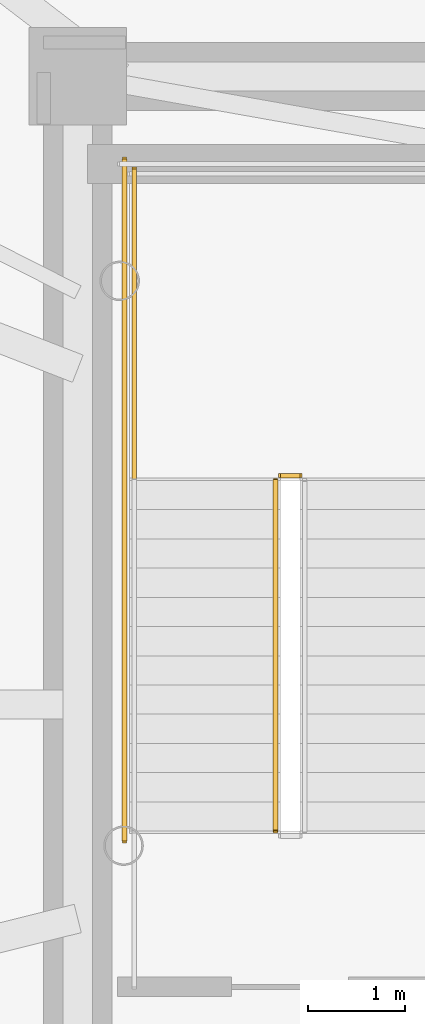
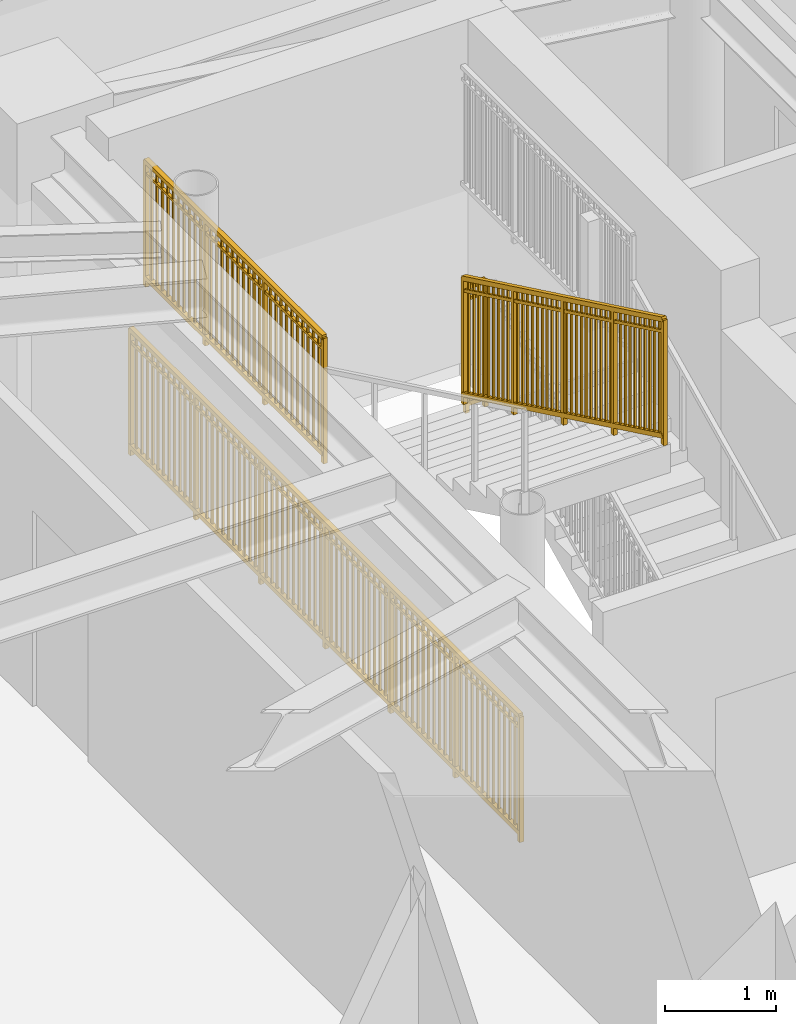
# One storey, part 16 of 20: 4 railings.
"""IFC4 building model written with IfcOpenShell, lengths in metres."""

from ifc_helpers import new_model, si_unit, direction, frame, origin, origin_2d, place, context, subcontext, project, spatial, rectangle, extrude, source, transform, mapped, material, type_object, element, save


model = new_model("IFC4")

# Units and contexts
model_context = context("Model", 3, precision=1e-05, world=origin(), true_north=direction((0.0, 1.0)))
body_context = subcontext(model_context, "Body", "Model", "MODEL_VIEW")
ifc_project = project(units=[si_unit("LENGTHUNIT", "METRE"), si_unit("AREAUNIT", "SQUARE_METRE"), si_unit("VOLUMEUNIT", "CUBIC_METRE"), si_unit("PLANEANGLEUNIT", "RADIAN"), si_unit("MASSUNIT", "GRAM", prefix="KILO")], contexts=[model_context])

# Site, building, storey
site_placement = place(None, origin())
site = spatial("IfcSite", under=ifc_project, at=site_placement, CompositionType="ELEMENT")
building_placement = place(site_placement, origin())
building = spatial("IfcBuilding", under=site, at=building_placement, Name="Linh Dai School and Residence Tower", CompositionType="ELEMENT")
storey_placement = place(building_placement, frame((0.0, 0.0, 288.0)))
storey = spatial("IfcBuildingStorey", under=building, at=storey_placement, Name="L71", CompositionType="ELEMENT", Elevation=288.0)

# Railings
ifc_material = material(Name="Structural Steel S355JR", Category="steel")
railing_type = type_object("IfcRailingType", Name="RL-ST-GUARD-1400", PredefinedType="GUARDRAIL", material=ifc_material)
shared_shape_1 = source(origin(), body_context, "Body", "SweptSolid", [
    extrude(rectangle(XDim=0.048095703125, YDim=0.048095703125, at=origin_2d()), frame((0.0, 0.0, 1.3759765625), z_axis=(-1.0, 0.0, 0.0), x_axis=(0.0, -1.0, 0.0)), (0.0, 0.0, 1.0), 0.199951171875),
    extrude(rectangle(XDim=0.048095703125, YDim=0.048095703125, at=origin_2d()), frame((0.0, 0.0, 0.10009765625), z_axis=(-1.0, 0.0, 0.0), x_axis=(0.0, -1.0, 0.0)), (0.0, 0.0, 1.0), 0.199951171875),
    extrude(rectangle(XDim=0.030029296875, YDim=0.030029296875, at=origin_2d()), frame((0.0, 0.0, 1.239990234375), z_axis=(-1.0, 0.0, 0.0), x_axis=(0.0, -1.0, 0.0)), (0.0, 0.0, 1.0), 0.199951171875),
    extrude(rectangle(XDim=0.0419921875, YDim=0.0419921875, at=origin_2d()), origin(), (0.0, 0.0, 1.0), 1.3759765625),
    extrude(rectangle(XDim=0.0419921875, YDim=0.0419921875, at=origin_2d()), frame((-0.199951171875, 0.0, 0.0)), (0.0, 0.0, 1.0), 1.3759765625),
])
railing_1_placement = place(storey_placement, frame((29.429931640625, 29.35009765625, 1.875)))
element("IfcRailing", 1, at=railing_1_placement, inside=storey, type_object=railing_type, Name="L71 ST1 stair guard 2", PredefinedType="GUARDRAIL", context=body_context, shape_type="MappedRepresentation", body=[
    mapped(shared_shape_1, transform((0.0, 0.0, 0.0), x_axis=(1.0, 0.0, 0.0), y_axis=(0.0, 1.0, 0.0), z_axis=(0.0, 0.0, 1.0), scale=1.0)),
])
shared_shape_2 = source(origin(), body_context, "Body", "SweptSolid", [
    extrude(rectangle(XDim=0.048095703125, YDim=0.048095703125, at=origin_2d()), frame((0.0, 0.0, 1.3759765625), z_axis=(0.0, 1.0, 0.0), x_axis=(-1.0, 0.0, 0.0)), (0.0, 0.0, 1.0), 7.0),
    extrude(rectangle(XDim=0.048095703125, YDim=0.048095703125, at=origin_2d()), frame((0.0, 0.0, 0.10009765625), z_axis=(0.0, 1.0, 0.0), x_axis=(-1.0, 0.0, 0.0)), (0.0, 0.0, 1.0), 7.0),
    extrude(rectangle(XDim=0.030029296875, YDim=0.030029296875, at=origin_2d()), frame((0.0, 0.0, 1.239990234375), z_axis=(0.0, 1.0, 0.0), x_axis=(-1.0, 0.0, 0.0)), (0.0, 0.0, 1.0), 7.0),
    extrude(rectangle(XDim=0.02001953125, YDim=0.02001953125, at=origin_2d()), frame((0.0, 0.09716796875, 0.10009765625)), (0.0, 0.0, 1.0), 1.251708984375),
    extrude(rectangle(XDim=0.02001953125, YDim=0.02001953125, at=origin_2d()), frame((0.0, 0.1943359375, 0.10009765625)), (0.0, 0.0, 1.0), 1.251708984375),
    extrude(rectangle(XDim=0.02001953125, YDim=0.02001953125, at=origin_2d()), frame((0.0, 0.291748046875, 0.10009765625)), (0.0, 0.0, 1.0), 1.251708984375),
    extrude(rectangle(XDim=0.02001953125, YDim=0.02001953125, at=origin_2d()), frame((0.0, 0.388916015625, 0.10009765625)), (0.0, 0.0, 1.0), 1.251708984375),
    extrude(rectangle(XDim=0.02001953125, YDim=0.02001953125, at=origin_2d()), frame((0.0, 0.486083984375, 0.10009765625)), (0.0, 0.0, 1.0), 1.251708984375),
    extrude(rectangle(XDim=0.02001953125, YDim=0.02001953125, at=origin_2d()), frame((0.0, 0.583251953125, 0.10009765625)), (0.0, 0.0, 1.0), 1.251708984375),
    extrude(rectangle(XDim=0.02001953125, YDim=0.02001953125, at=origin_2d()), frame((0.0, 0.6806640625, 0.10009765625)), (0.0, 0.0, 1.0), 1.251708984375),
    extrude(rectangle(XDim=0.02001953125, YDim=0.02001953125, at=origin_2d()), frame((0.0, 0.77783203125, 0.10009765625)), (0.0, 0.0, 1.0), 1.251708984375),
    extrude(rectangle(XDim=0.02001953125, YDim=0.02001953125, at=origin_2d()), frame((0.0, 0.875, 0.10009765625)), (0.0, 0.0, 1.0), 1.251708984375),
    extrude(rectangle(XDim=0.02001953125, YDim=0.02001953125, at=origin_2d()), frame((0.0, 0.97216796875, 0.10009765625)), (0.0, 0.0, 1.0), 1.251708984375),
    extrude(rectangle(XDim=0.02001953125, YDim=0.02001953125, at=origin_2d()), frame((0.0, 1.0693359375, 0.10009765625)), (0.0, 0.0, 1.0), 1.251708984375),
    extrude(rectangle(XDim=0.02001953125, YDim=0.02001953125, at=origin_2d()), frame((0.0, 1.263916015625, 0.10009765625)), (0.0, 0.0, 1.0), 1.251708984375),
    extrude(rectangle(XDim=0.02001953125, YDim=0.02001953125, at=origin_2d()), frame((0.0, 1.361083984375, 0.10009765625)), (0.0, 0.0, 1.0), 1.251708984375),
    extrude(rectangle(XDim=0.02001953125, YDim=0.02001953125, at=origin_2d()), frame((0.0, 1.458251953125, 0.10009765625)), (0.0, 0.0, 1.0), 1.251708984375),
    extrude(rectangle(XDim=0.02001953125, YDim=0.02001953125, at=origin_2d()), frame((0.0, 1.5556640625, 0.10009765625)), (0.0, 0.0, 1.0), 1.251708984375),
    extrude(rectangle(XDim=0.02001953125, YDim=0.02001953125, at=origin_2d()), frame((0.0, 1.65283203125, 0.10009765625)), (0.0, 0.0, 1.0), 1.251708984375),
    extrude(rectangle(XDim=0.02001953125, YDim=0.02001953125, at=origin_2d()), frame((0.0, 1.75, 0.10009765625)), (0.0, 0.0, 1.0), 1.251708984375),
    extrude(rectangle(XDim=0.02001953125, YDim=0.02001953125, at=origin_2d()), frame((0.0, 1.84716796875, 0.10009765625)), (0.0, 0.0, 1.0), 1.251708984375),
    extrude(rectangle(XDim=0.02001953125, YDim=0.02001953125, at=origin_2d()), frame((0.0, 1.9443359375, 0.10009765625)), (0.0, 0.0, 1.0), 1.251708984375),
    extrude(rectangle(XDim=0.02001953125, YDim=0.02001953125, at=origin_2d()), frame((0.0, 2.041748046875, 0.10009765625)), (0.0, 0.0, 1.0), 1.251708984375),
    extrude(rectangle(XDim=0.02001953125, YDim=0.02001953125, at=origin_2d()), frame((0.0, 2.138916015625, 0.10009765625)), (0.0, 0.0, 1.0), 1.251708984375),
    extrude(rectangle(XDim=0.02001953125, YDim=0.02001953125, at=origin_2d()), frame((0.0, 2.236083984375, 0.10009765625)), (0.0, 0.0, 1.0), 1.251708984375),
    extrude(rectangle(XDim=0.02001953125, YDim=0.02001953125, at=origin_2d()), frame((0.0, 2.4306640625, 0.10009765625)), (0.0, 0.0, 1.0), 1.251708984375),
    extrude(rectangle(XDim=0.02001953125, YDim=0.02001953125, at=origin_2d()), frame((0.0, 2.52783203125, 0.10009765625)), (0.0, 0.0, 1.0), 1.251708984375),
    extrude(rectangle(XDim=0.02001953125, YDim=0.02001953125, at=origin_2d()), frame((0.0, 2.625, 0.10009765625)), (0.0, 0.0, 1.0), 1.251708984375),
    extrude(rectangle(XDim=0.02001953125, YDim=0.02001953125, at=origin_2d()), frame((0.0, 2.72216796875, 0.10009765625)), (0.0, 0.0, 1.0), 1.251708984375),
    extrude(rectangle(XDim=0.02001953125, YDim=0.02001953125, at=origin_2d()), frame((0.0, 2.8193359375, 0.10009765625)), (0.0, 0.0, 1.0), 1.251708984375),
    extrude(rectangle(XDim=0.02001953125, YDim=0.02001953125, at=origin_2d()), frame((0.0, 2.916748046875, 0.10009765625)), (0.0, 0.0, 1.0), 1.251708984375),
    extrude(rectangle(XDim=0.02001953125, YDim=0.02001953125, at=origin_2d()), frame((0.0, 3.013916015625, 0.10009765625)), (0.0, 0.0, 1.0), 1.251708984375),
    extrude(rectangle(XDim=0.02001953125, YDim=0.02001953125, at=origin_2d()), frame((0.0, 3.111083984375, 0.10009765625)), (0.0, 0.0, 1.0), 1.251708984375),
    extrude(rectangle(XDim=0.02001953125, YDim=0.02001953125, at=origin_2d()), frame((0.0, 3.208251953125, 0.10009765625)), (0.0, 0.0, 1.0), 1.251708984375),
    extrude(rectangle(XDim=0.02001953125, YDim=0.02001953125, at=origin_2d()), frame((0.0, 3.3056640625, 0.10009765625)), (0.0, 0.0, 1.0), 1.251708984375),
    extrude(rectangle(XDim=0.02001953125, YDim=0.02001953125, at=origin_2d()), frame((0.0, 3.40283203125, 0.10009765625)), (0.0, 0.0, 1.0), 1.251708984375),
    extrude(rectangle(XDim=0.02001953125, YDim=0.02001953125, at=origin_2d()), frame((0.0, 3.59716796875, 0.10009765625)), (0.0, 0.0, 1.0), 1.251708984375),
    extrude(rectangle(XDim=0.02001953125, YDim=0.02001953125, at=origin_2d()), frame((0.0, 3.6943359375, 0.10009765625)), (0.0, 0.0, 1.0), 1.251708984375),
    extrude(rectangle(XDim=0.02001953125, YDim=0.02001953125, at=origin_2d()), frame((0.0, 3.791748046875, 0.10009765625)), (0.0, 0.0, 1.0), 1.251708984375),
    extrude(rectangle(XDim=0.02001953125, YDim=0.02001953125, at=origin_2d()), frame((0.0, 3.888916015625, 0.10009765625)), (0.0, 0.0, 1.0), 1.251708984375),
    extrude(rectangle(XDim=0.02001953125, YDim=0.02001953125, at=origin_2d()), frame((0.0, 3.986083984375, 0.10009765625)), (0.0, 0.0, 1.0), 1.251708984375),
    extrude(rectangle(XDim=0.02001953125, YDim=0.02001953125, at=origin_2d()), frame((0.0, 4.083251953125, 0.10009765625)), (0.0, 0.0, 1.0), 1.251708984375),
    extrude(rectangle(XDim=0.02001953125, YDim=0.02001953125, at=origin_2d()), frame((0.0, 4.1806640625, 0.10009765625)), (0.0, 0.0, 1.0), 1.251708984375),
    extrude(rectangle(XDim=0.02001953125, YDim=0.02001953125, at=origin_2d()), frame((0.0, 4.27783203125, 0.10009765625)), (0.0, 0.0, 1.0), 1.251708984375),
    extrude(rectangle(XDim=0.02001953125, YDim=0.02001953125, at=origin_2d()), frame((0.0, 4.375, 0.10009765625)), (0.0, 0.0, 1.0), 1.251708984375),
    extrude(rectangle(XDim=0.02001953125, YDim=0.02001953125, at=origin_2d()), frame((0.0, 4.47216796875, 0.10009765625)), (0.0, 0.0, 1.0), 1.251708984375),
    extrude(rectangle(XDim=0.02001953125, YDim=0.02001953125, at=origin_2d()), frame((0.0, 4.5693359375, 0.10009765625)), (0.0, 0.0, 1.0), 1.251708984375),
    extrude(rectangle(XDim=0.02001953125, YDim=0.02001953125, at=origin_2d()), frame((0.0, 4.763916015625, 0.10009765625)), (0.0, 0.0, 1.0), 1.251708984375),
    extrude(rectangle(XDim=0.02001953125, YDim=0.02001953125, at=origin_2d()), frame((0.0, 4.861083984375, 0.10009765625)), (0.0, 0.0, 1.0), 1.251708984375),
    extrude(rectangle(XDim=0.02001953125, YDim=0.02001953125, at=origin_2d()), frame((0.0, 4.958251953125, 0.10009765625)), (0.0, 0.0, 1.0), 1.251708984375),
    extrude(rectangle(XDim=0.02001953125, YDim=0.02001953125, at=origin_2d()), frame((0.0, 5.0556640625, 0.10009765625)), (0.0, 0.0, 1.0), 1.251708984375),
    extrude(rectangle(XDim=0.02001953125, YDim=0.02001953125, at=origin_2d()), frame((0.0, 5.15283203125, 0.10009765625)), (0.0, 0.0, 1.0), 1.251708984375),
    extrude(rectangle(XDim=0.02001953125, YDim=0.02001953125, at=origin_2d()), frame((0.0, 5.25, 0.10009765625)), (0.0, 0.0, 1.0), 1.251708984375),
    extrude(rectangle(XDim=0.02001953125, YDim=0.02001953125, at=origin_2d()), frame((0.0, 5.34716796875, 0.10009765625)), (0.0, 0.0, 1.0), 1.251708984375),
    extrude(rectangle(XDim=0.02001953125, YDim=0.02001953125, at=origin_2d()), frame((0.0, 5.4443359375, 0.10009765625)), (0.0, 0.0, 1.0), 1.251708984375),
    extrude(rectangle(XDim=0.02001953125, YDim=0.02001953125, at=origin_2d()), frame((0.0, 5.541748046875, 0.10009765625)), (0.0, 0.0, 1.0), 1.251708984375),
    extrude(rectangle(XDim=0.02001953125, YDim=0.02001953125, at=origin_2d()), frame((0.0, 5.638916015625, 0.10009765625)), (0.0, 0.0, 1.0), 1.251708984375),
    extrude(rectangle(XDim=0.02001953125, YDim=0.02001953125, at=origin_2d()), frame((0.0, 5.736083984375, 0.10009765625)), (0.0, 0.0, 1.0), 1.251708984375),
    extrude(rectangle(XDim=0.02001953125, YDim=0.02001953125, at=origin_2d()), frame((0.0, 5.9306640625, 0.10009765625)), (0.0, 0.0, 1.0), 1.251708984375),
    extrude(rectangle(XDim=0.02001953125, YDim=0.02001953125, at=origin_2d()), frame((0.0, 6.02783203125, 0.10009765625)), (0.0, 0.0, 1.0), 1.251708984375),
    extrude(rectangle(XDim=0.02001953125, YDim=0.02001953125, at=origin_2d()), frame((0.0, 6.125, 0.10009765625)), (0.0, 0.0, 1.0), 1.251708984375),
    extrude(rectangle(XDim=0.02001953125, YDim=0.02001953125, at=origin_2d()), frame((0.0, 6.22216796875, 0.10009765625)), (0.0, 0.0, 1.0), 1.251708984375),
    extrude(rectangle(XDim=0.02001953125, YDim=0.02001953125, at=origin_2d()), frame((0.0, 6.3193359375, 0.10009765625)), (0.0, 0.0, 1.0), 1.251708984375),
    extrude(rectangle(XDim=0.02001953125, YDim=0.02001953125, at=origin_2d()), frame((0.0, 6.416748046875, 0.10009765625)), (0.0, 0.0, 1.0), 1.251708984375),
    extrude(rectangle(XDim=0.02001953125, YDim=0.02001953125, at=origin_2d()), frame((0.0, 6.513916015625, 0.10009765625)), (0.0, 0.0, 1.0), 1.251708984375),
    extrude(rectangle(XDim=0.02001953125, YDim=0.02001953125, at=origin_2d()), frame((0.0, 6.611083984375, 0.10009765625)), (0.0, 0.0, 1.0), 1.251708984375),
    extrude(rectangle(XDim=0.02001953125, YDim=0.02001953125, at=origin_2d()), frame((0.0, 6.708251953125, 0.10009765625)), (0.0, 0.0, 1.0), 1.251708984375),
    extrude(rectangle(XDim=0.02001953125, YDim=0.02001953125, at=origin_2d()), frame((0.0, 6.8056640625, 0.10009765625)), (0.0, 0.0, 1.0), 1.251708984375),
    extrude(rectangle(XDim=0.02001953125, YDim=0.02001953125, at=origin_2d()), frame((0.0, 6.90283203125, 0.10009765625)), (0.0, 0.0, 1.0), 1.251708984375),
    extrude(rectangle(XDim=0.0419921875, YDim=0.0419921875, at=origin_2d()), origin(), (0.0, 0.0, 1.0), 1.3759765625),
    extrude(rectangle(XDim=0.0419921875, YDim=0.0419921875, at=origin_2d()), frame((0.0, 1.166748046875, 0.0)), (0.0, 0.0, 1.0), 1.3759765625),
    extrude(rectangle(XDim=0.0419921875, YDim=0.0419921875, at=origin_2d()), frame((0.0, 2.333251953125, 0.0)), (0.0, 0.0, 1.0), 1.3759765625),
    extrude(rectangle(XDim=0.0419921875, YDim=0.0419921875, at=origin_2d()), frame((0.0, 3.5, 0.0)), (0.0, 0.0, 1.0), 1.3759765625),
    extrude(rectangle(XDim=0.0419921875, YDim=0.0419921875, at=origin_2d()), frame((0.0, 4.666748046875, 0.0)), (0.0, 0.0, 1.0), 1.3759765625),
    extrude(rectangle(XDim=0.0419921875, YDim=0.0419921875, at=origin_2d()), frame((0.0, 5.833251953125, 0.0)), (0.0, 0.0, 1.0), 1.3759765625),
    extrude(rectangle(XDim=0.0419921875, YDim=0.0419921875, at=origin_2d()), frame((0.0, 7.0, 0.0)), (0.0, 0.0, 1.0), 1.3759765625),
])
railing_2_placement = place(storey_placement, frame((27.6298828125, 25.60009765625, 0.0)))
element("IfcRailing", 2, at=railing_2_placement, inside=storey, type_object=railing_type, Name="L71 ST1 stair guard 11", PredefinedType="GUARDRAIL", context=body_context, shape_type="MappedRepresentation", body=[
    mapped(shared_shape_2, transform((0.0, 0.0, 0.0), x_axis=(1.0, 0.0, 0.0), y_axis=(0.0, 1.0, 0.0), z_axis=(0.0, 0.0, 1.0), scale=1.0)),
])
shared_shape_3 = source(origin(), body_context, "Body", "SweptSolid", [
    extrude(rectangle(XDim=0.048095703125, YDim=0.048095703125, at=origin_2d()), frame((0.0, 0.0, 1.3759765625), z_axis=(0.0, 1.0, 0.0), x_axis=(-1.0, 0.0, 0.0)), (0.0, 0.0, 1.0), 3.199951171875),
    extrude(rectangle(XDim=0.048095703125, YDim=0.048095703125, at=origin_2d()), frame((0.0, 0.0, 0.10009765625), z_axis=(0.0, 1.0, 0.0), x_axis=(-1.0, 0.0, 0.0)), (0.0, 0.0, 1.0), 3.199951171875),
    extrude(rectangle(XDim=0.030029296875, YDim=0.030029296875, at=origin_2d()), frame((0.0, 0.0, 1.239990234375), z_axis=(0.0, 1.0, 0.0), x_axis=(-1.0, 0.0, 0.0)), (0.0, 0.0, 1.0), 3.199951171875),
    extrude(rectangle(XDim=0.02001953125, YDim=0.02001953125, at=origin_2d()), frame((0.0, 0.096923828125, 0.10009765625)), (0.0, 0.0, 1.0), 1.251708984375),
    extrude(rectangle(XDim=0.02001953125, YDim=0.02001953125, at=origin_2d()), frame((0.0, 0.19384765625, 0.10009765625)), (0.0, 0.0, 1.0), 1.251708984375),
    extrude(rectangle(XDim=0.02001953125, YDim=0.02001953125, at=origin_2d()), frame((0.0, 0.291015625, 0.10009765625)), (0.0, 0.0, 1.0), 1.251708984375),
    extrude(rectangle(XDim=0.02001953125, YDim=0.02001953125, at=origin_2d()), frame((0.0, 0.387939453125, 0.10009765625)), (0.0, 0.0, 1.0), 1.251708984375),
    extrude(rectangle(XDim=0.02001953125, YDim=0.02001953125, at=origin_2d()), frame((0.0, 0.48486328125, 0.10009765625)), (0.0, 0.0, 1.0), 1.251708984375),
    extrude(rectangle(XDim=0.02001953125, YDim=0.02001953125, at=origin_2d()), frame((0.0, 0.581787109375, 0.10009765625)), (0.0, 0.0, 1.0), 1.251708984375),
    extrude(rectangle(XDim=0.02001953125, YDim=0.02001953125, at=origin_2d()), frame((0.0, 0.6787109375, 0.10009765625)), (0.0, 0.0, 1.0), 1.251708984375),
    extrude(rectangle(XDim=0.02001953125, YDim=0.02001953125, at=origin_2d()), frame((0.0, 0.775634765625, 0.10009765625)), (0.0, 0.0, 1.0), 1.251708984375),
    extrude(rectangle(XDim=0.02001953125, YDim=0.02001953125, at=origin_2d()), frame((0.0, 0.872802734375, 0.10009765625)), (0.0, 0.0, 1.0), 1.251708984375),
    extrude(rectangle(XDim=0.02001953125, YDim=0.02001953125, at=origin_2d()), frame((0.0, 0.9697265625, 0.10009765625)), (0.0, 0.0, 1.0), 1.251708984375),
    extrude(rectangle(XDim=0.02001953125, YDim=0.02001953125, at=origin_2d()), frame((0.0, 1.16357421875, 0.10009765625)), (0.0, 0.0, 1.0), 1.251708984375),
    extrude(rectangle(XDim=0.02001953125, YDim=0.02001953125, at=origin_2d()), frame((0.0, 1.260498046875, 0.10009765625)), (0.0, 0.0, 1.0), 1.251708984375),
    extrude(rectangle(XDim=0.02001953125, YDim=0.02001953125, at=origin_2d()), frame((0.0, 1.357666015625, 0.10009765625)), (0.0, 0.0, 1.0), 1.251708984375),
    extrude(rectangle(XDim=0.02001953125, YDim=0.02001953125, at=origin_2d()), frame((0.0, 1.45458984375, 0.10009765625)), (0.0, 0.0, 1.0), 1.251708984375),
    extrude(rectangle(XDim=0.02001953125, YDim=0.02001953125, at=origin_2d()), frame((0.0, 1.551513671875, 0.10009765625)), (0.0, 0.0, 1.0), 1.251708984375),
    extrude(rectangle(XDim=0.02001953125, YDim=0.02001953125, at=origin_2d()), frame((0.0, 1.6484375, 0.10009765625)), (0.0, 0.0, 1.0), 1.251708984375),
    extrude(rectangle(XDim=0.02001953125, YDim=0.02001953125, at=origin_2d()), frame((0.0, 1.745361328125, 0.10009765625)), (0.0, 0.0, 1.0), 1.251708984375),
    extrude(rectangle(XDim=0.02001953125, YDim=0.02001953125, at=origin_2d()), frame((0.0, 1.84228515625, 0.10009765625)), (0.0, 0.0, 1.0), 1.251708984375),
    extrude(rectangle(XDim=0.02001953125, YDim=0.02001953125, at=origin_2d()), frame((0.0, 1.939453125, 0.10009765625)), (0.0, 0.0, 1.0), 1.251708984375),
    extrude(rectangle(XDim=0.02001953125, YDim=0.02001953125, at=origin_2d()), frame((0.0, 2.036376953125, 0.10009765625)), (0.0, 0.0, 1.0), 1.251708984375),
    extrude(rectangle(XDim=0.02001953125, YDim=0.02001953125, at=origin_2d()), frame((0.0, 2.230224609375, 0.10009765625)), (0.0, 0.0, 1.0), 1.251708984375),
    extrude(rectangle(XDim=0.02001953125, YDim=0.02001953125, at=origin_2d()), frame((0.0, 2.3271484375, 0.10009765625)), (0.0, 0.0, 1.0), 1.251708984375),
    extrude(rectangle(XDim=0.02001953125, YDim=0.02001953125, at=origin_2d()), frame((0.0, 2.42431640625, 0.10009765625)), (0.0, 0.0, 1.0), 1.251708984375),
    extrude(rectangle(XDim=0.02001953125, YDim=0.02001953125, at=origin_2d()), frame((0.0, 2.521240234375, 0.10009765625)), (0.0, 0.0, 1.0), 1.251708984375),
    extrude(rectangle(XDim=0.02001953125, YDim=0.02001953125, at=origin_2d()), frame((0.0, 2.6181640625, 0.10009765625)), (0.0, 0.0, 1.0), 1.251708984375),
    extrude(rectangle(XDim=0.02001953125, YDim=0.02001953125, at=origin_2d()), frame((0.0, 2.715087890625, 0.10009765625)), (0.0, 0.0, 1.0), 1.251708984375),
    extrude(rectangle(XDim=0.02001953125, YDim=0.02001953125, at=origin_2d()), frame((0.0, 2.81201171875, 0.10009765625)), (0.0, 0.0, 1.0), 1.251708984375),
    extrude(rectangle(XDim=0.02001953125, YDim=0.02001953125, at=origin_2d()), frame((0.0, 2.908935546875, 0.10009765625)), (0.0, 0.0, 1.0), 1.251708984375),
    extrude(rectangle(XDim=0.02001953125, YDim=0.02001953125, at=origin_2d()), frame((0.0, 3.006103515625, 0.10009765625)), (0.0, 0.0, 1.0), 1.251708984375),
    extrude(rectangle(XDim=0.02001953125, YDim=0.02001953125, at=origin_2d()), frame((0.0, 3.10302734375, 0.10009765625)), (0.0, 0.0, 1.0), 1.251708984375),
    extrude(rectangle(XDim=0.0419921875, YDim=0.0419921875, at=origin_2d()), origin(), (0.0, 0.0, 1.0), 1.3759765625),
    extrude(rectangle(XDim=0.0419921875, YDim=0.0419921875, at=origin_2d()), frame((0.0, 1.066650390625, 0.0)), (0.0, 0.0, 1.0), 1.3759765625),
    extrude(rectangle(XDim=0.0419921875, YDim=0.0419921875, at=origin_2d()), frame((0.0, 2.13330078125, 0.0)), (0.0, 0.0, 1.0), 1.3759765625),
    extrude(rectangle(XDim=0.0419921875, YDim=0.0419921875, at=origin_2d()), frame((0.0, 3.199951171875, 0.0)), (0.0, 0.0, 1.0), 1.3759765625),
])
railing_3_placement = place(storey_placement, frame((27.72998046875, 29.300048828125, 1.875)))
element("IfcRailing", 3, at=railing_3_placement, inside=storey, type_object=railing_type, Name="L71 ST1 stair guard 4", PredefinedType="GUARDRAIL", context=body_context, shape_type="MappedRepresentation", body=[
    mapped(shared_shape_3, transform((0.0, 0.0, 0.0), x_axis=(1.0, 0.0, 0.0), y_axis=(0.0, 1.0, 0.0), z_axis=(0.0, 0.0, 1.0), scale=1.0)),
])
shared_shape_4 = source(origin(), body_context, "Body", "SweptSolid", [
    extrude(rectangle(XDim=0.048095703125, YDim=0.048095703125, at=origin_2d()), frame((0.0, 0.0, 1.3759765625), z_axis=(0.0, -0.901262522062, 0.433273431364), x_axis=(1.0, 0.0, 0.0)), (0.0, 0.0, 1.0), 3.994384765625),
    extrude(rectangle(XDim=0.048095703125, YDim=0.048095703125, at=origin_2d()), frame((0.0, 0.0, 0.10009765625), z_axis=(0.0, -0.901262522062, 0.433273431364), x_axis=(1.0, 0.0, 0.0)), (0.0, 0.0, 1.0), 3.994384765625),
    extrude(rectangle(XDim=0.030029296875, YDim=0.030029296875, at=origin_2d()), frame((0.0, 0.0, 1.239990234375), z_axis=(0.0, -0.901262522062, 0.433273431364), x_axis=(1.0, 0.0, 0.0)), (0.0, 0.0, 1.0), 3.994384765625),
    extrude(rectangle(XDim=0.02001953125, YDim=0.02001953125, at=origin_2d()), frame((0.0, -0.087890625, 0.142333984375)), (0.0, 0.0, 1.0), 1.251708984375),
    extrude(rectangle(XDim=0.02001953125, YDim=0.02001953125, at=origin_2d()), frame((0.0, -0.175537109375, 0.1845703125)), (0.0, 0.0, 1.0), 1.251708984375),
    extrude(rectangle(XDim=0.02001953125, YDim=0.02001953125, at=origin_2d()), frame((0.0, -0.263427734375, 0.226806640625)), (0.0, 0.0, 1.0), 1.251708984375),
    extrude(rectangle(XDim=0.02001953125, YDim=0.02001953125, at=origin_2d()), frame((0.0, -0.351318359375, 0.26904296875)), (0.0, 0.0, 1.0), 1.251708984375),
    extrude(rectangle(XDim=0.02001953125, YDim=0.02001953125, at=origin_2d()), frame((0.0, -0.43896484375, 0.311279296875)), (0.0, 0.0, 1.0), 1.251708984375),
    extrude(rectangle(XDim=0.02001953125, YDim=0.02001953125, at=origin_2d()), frame((0.0, -0.52685546875, 0.353271484375)), (0.0, 0.0, 1.0), 1.251708984375),
    extrude(rectangle(XDim=0.02001953125, YDim=0.02001953125, at=origin_2d()), frame((0.0, -0.61474609375, 0.3955078125)), (0.0, 0.0, 1.0), 1.251708984375),
    extrude(rectangle(XDim=0.02001953125, YDim=0.02001953125, at=origin_2d()), frame((0.0, -0.702392578125, 0.437744140625)), (0.0, 0.0, 1.0), 1.251708984375),
    extrude(rectangle(XDim=0.02001953125, YDim=0.02001953125, at=origin_2d()), frame((0.0, -0.790283203125, 0.47998046875)), (0.0, 0.0, 1.0), 1.251708984375),
    extrude(rectangle(XDim=0.02001953125, YDim=0.02001953125, at=origin_2d()), frame((0.0, -0.9658203125, 0.564453125)), (0.0, 0.0, 1.0), 1.251708984375),
    extrude(rectangle(XDim=0.02001953125, YDim=0.02001953125, at=origin_2d()), frame((0.0, -1.0537109375, 0.606689453125)), (0.0, 0.0, 1.0), 1.251708984375),
    extrude(rectangle(XDim=0.02001953125, YDim=0.02001953125, at=origin_2d()), frame((0.0, -1.1416015625, 0.64892578125)), (0.0, 0.0, 1.0), 1.251708984375),
    extrude(rectangle(XDim=0.02001953125, YDim=0.02001953125, at=origin_2d()), frame((0.0, -1.229248046875, 0.691162109375)), (0.0, 0.0, 1.0), 1.251708984375),
    extrude(rectangle(XDim=0.02001953125, YDim=0.02001953125, at=origin_2d()), frame((0.0, -1.317138671875, 0.7333984375)), (0.0, 0.0, 1.0), 1.251708984375),
    extrude(rectangle(XDim=0.02001953125, YDim=0.02001953125, at=origin_2d()), frame((0.0, -1.405029296875, 0.775390625)), (0.0, 0.0, 1.0), 1.251708984375),
    extrude(rectangle(XDim=0.02001953125, YDim=0.02001953125, at=origin_2d()), frame((0.0, -1.49267578125, 0.817626953125)), (0.0, 0.0, 1.0), 1.251708984375),
    extrude(rectangle(XDim=0.02001953125, YDim=0.02001953125, at=origin_2d()), frame((0.0, -1.58056640625, 0.85986328125)), (0.0, 0.0, 1.0), 1.251708984375),
    extrude(rectangle(XDim=0.02001953125, YDim=0.02001953125, at=origin_2d()), frame((0.0, -1.66845703125, 0.902099609375)), (0.0, 0.0, 1.0), 1.251708984375),
    extrude(rectangle(XDim=0.02001953125, YDim=0.02001953125, at=origin_2d()), frame((0.0, -1.756103515625, 0.9443359375)), (0.0, 0.0, 1.0), 1.251708984375),
    extrude(rectangle(XDim=0.02001953125, YDim=0.02001953125, at=origin_2d()), frame((0.0, -1.843994140625, 0.986572265625)), (0.0, 0.0, 1.0), 1.251708984375),
    extrude(rectangle(XDim=0.02001953125, YDim=0.02001953125, at=origin_2d()), frame((0.0, -1.931640625, 1.02880859375)), (0.0, 0.0, 1.0), 1.251708984375),
    extrude(rectangle(XDim=0.02001953125, YDim=0.02001953125, at=origin_2d()), frame((0.0, -2.01953125, 1.071044921875)), (0.0, 0.0, 1.0), 1.251708984375),
    extrude(rectangle(XDim=0.02001953125, YDim=0.02001953125, at=origin_2d()), frame((0.0, -2.107421875, 1.11328125)), (0.0, 0.0, 1.0), 1.251708984375),
    extrude(rectangle(XDim=0.02001953125, YDim=0.02001953125, at=origin_2d()), frame((0.0, -2.195068359375, 1.155517578125)), (0.0, 0.0, 1.0), 1.251708984375),
    extrude(rectangle(XDim=0.02001953125, YDim=0.02001953125, at=origin_2d()), frame((0.0, -2.282958984375, 1.197509765625)), (0.0, 0.0, 1.0), 1.251708984375),
    extrude(rectangle(XDim=0.02001953125, YDim=0.02001953125, at=origin_2d()), frame((0.0, -2.370849609375, 1.23974609375)), (0.0, 0.0, 1.0), 1.251708984375),
    extrude(rectangle(XDim=0.02001953125, YDim=0.02001953125, at=origin_2d()), frame((0.0, -2.45849609375, 1.281982421875)), (0.0, 0.0, 1.0), 1.251708984375),
    extrude(rectangle(XDim=0.02001953125, YDim=0.02001953125, at=origin_2d()), frame((0.0, -2.54638671875, 1.32421875)), (0.0, 0.0, 1.0), 1.251708984375),
    extrude(rectangle(XDim=0.02001953125, YDim=0.02001953125, at=origin_2d()), frame((0.0, -2.63427734375, 1.366455078125)), (0.0, 0.0, 1.0), 1.251708984375),
    extrude(rectangle(XDim=0.02001953125, YDim=0.02001953125, at=origin_2d()), frame((0.0, -2.809814453125, 1.450927734375)), (0.0, 0.0, 1.0), 1.251708984375),
    extrude(rectangle(XDim=0.02001953125, YDim=0.02001953125, at=origin_2d()), frame((0.0, -2.897705078125, 1.4931640625)), (0.0, 0.0, 1.0), 1.251708984375),
    extrude(rectangle(XDim=0.02001953125, YDim=0.02001953125, at=origin_2d()), frame((0.0, -2.9853515625, 1.535400390625)), (0.0, 0.0, 1.0), 1.251708984375),
    extrude(rectangle(XDim=0.02001953125, YDim=0.02001953125, at=origin_2d()), frame((0.0, -3.0732421875, 1.57763671875)), (0.0, 0.0, 1.0), 1.251708984375),
    extrude(rectangle(XDim=0.02001953125, YDim=0.02001953125, at=origin_2d()), frame((0.0, -3.1611328125, 1.61962890625)), (0.0, 0.0, 1.0), 1.251708984375),
    extrude(rectangle(XDim=0.02001953125, YDim=0.02001953125, at=origin_2d()), frame((0.0, -3.248779296875, 1.661865234375)), (0.0, 0.0, 1.0), 1.251708984375),
    extrude(rectangle(XDim=0.02001953125, YDim=0.02001953125, at=origin_2d()), frame((0.0, -3.336669921875, 1.7041015625)), (0.0, 0.0, 1.0), 1.251708984375),
    extrude(rectangle(XDim=0.02001953125, YDim=0.02001953125, at=origin_2d()), frame((0.0, -3.424560546875, 1.746337890625)), (0.0, 0.0, 1.0), 1.251708984375),
    extrude(rectangle(XDim=0.02001953125, YDim=0.02001953125, at=origin_2d()), frame((0.0, -3.51220703125, 1.78857421875)), (0.0, 0.0, 1.0), 1.251708984375),
    extrude(rectangle(XDim=0.0419921875, YDim=0.0419921875, at=origin_2d()), origin(), (0.0, 0.0, 1.0), 1.3759765625),
    extrude(rectangle(XDim=0.0419921875, YDim=0.0419921875, at=origin_2d()), frame((0.0, -0.89990234375, 0.4326171875)), (0.0, 0.0, 1.0), 1.3759765625),
    extrude(rectangle(XDim=0.0419921875, YDim=0.0419921875, at=origin_2d()), frame((0.0, -1.800048828125, 0.865234375)), (0.0, 0.0, 1.0), 1.3759765625),
    extrude(rectangle(XDim=0.0419921875, YDim=0.0419921875, at=origin_2d()), frame((0.0, -2.7001953125, 1.298095703125)), (0.0, 0.0, 1.0), 1.3759765625),
    extrude(rectangle(XDim=0.0419921875, YDim=0.0419921875, at=origin_2d()), frame((0.0, -3.60009765625, 1.730712890625)), (0.0, 0.0, 1.0), 1.3759765625),
])
railing_4_placement = place(storey_placement, frame((29.179931640625, 29.300048828125, 2.019287109375)))
element("IfcRailing", 4, at=railing_4_placement, inside=storey, type_object=railing_type, Name="L71 ST1 stair guard 6", PredefinedType="GUARDRAIL", context=body_context, shape_type="MappedRepresentation", body=[
    mapped(shared_shape_4, transform((0.0, 0.0, 0.0), x_axis=(1.0, 0.0, 0.0), y_axis=(0.0, 1.0, 0.0), z_axis=(0.0, 0.0, 1.0), scale=1.0)),
])

save(model, "model.ifc")
